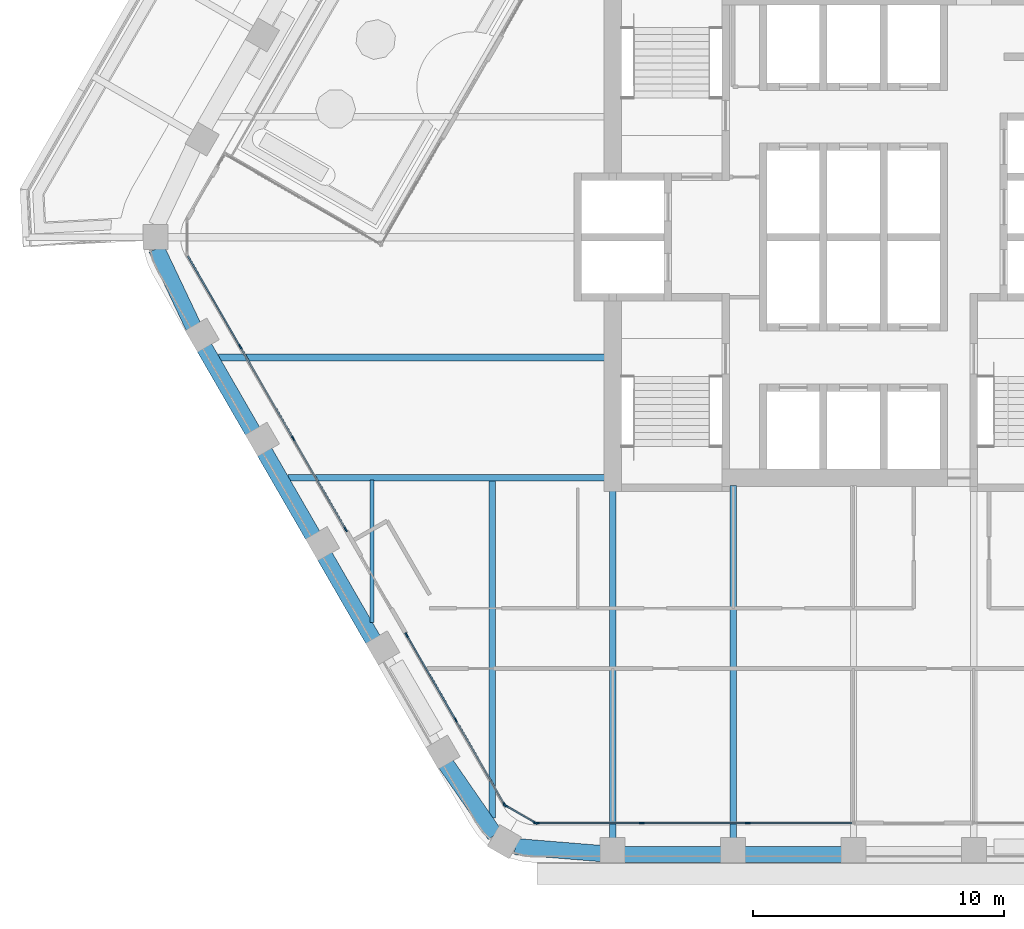
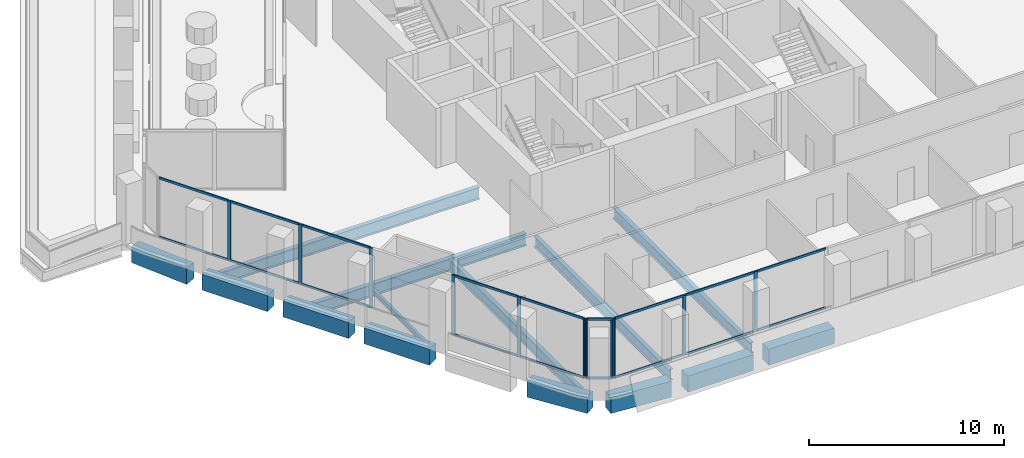
# One storey, part 2 of 18: 29 members, 14 beams, 4 elements without a shape of their own.
"""IFC4 building model written with IfcOpenShell, lengths in metres."""

import ifcopenshell
import ifcopenshell.guid

model = None  # the IFC model being written
_history = None  # IfcOwnerHistory: only IFC2X3 demands one
_inside = {}  # id of a spatial element -> (the spatial element, [elements in it])
_under = {}  # id of a project, library or spatial element -> (it, [spatial elements below it])
_declared = {}  # id of a project -> (the project, [libraries it declares])
_typed = {}  # id of a type object -> (the type object, [elements of that type])
_made_of = {}  # id of a material, layer set ... -> (it, [elements and type objects made of it])


def new_model(schema):
    """Start an empty IFC model of exactly this schema.

    Asked for "IFC4X3", IfcOpenShell would pick the latest addendum, in which some entities
    have other attributes; the version numbers below select the first issue.
    IFC2X3 requires an IfcOwnerHistory on every rooted entity: one is made here for all.
    """
    global model, _history
    if schema == "IFC4X3":
        model = ifcopenshell.file(schema_version=(4, 3, 0, 0))
    else:
        model = ifcopenshell.file(schema=schema)
    _inside.clear()
    _under.clear()
    _declared.clear()
    _typed.clear()
    _made_of.clear()
    _history = None
    if model.schema == "IFC2X3":
        org = make("IfcOrganization", Name="unknown")
        user = make(
            "IfcPersonAndOrganization",
            ThePerson=make("IfcPerson", FamilyName="unknown"),
            TheOrganization=org,
        )
        app = make(
            "IfcApplication",
            ApplicationDeveloper=org,
            Version="unknown",
            ApplicationFullName="unknown",
            ApplicationIdentifier="unknown",
        )
        _history = make(
            "IfcOwnerHistory",
            OwningUser=user,
            OwningApplication=app,
            ChangeAction="ADDED",
            CreationDate=0,
        )
    return model


def make(cls, **values):
    """One entity of the class cls with the attributes given. An attribute that is None is left unset."""
    return model.create_entity(
        cls, **{name: value for name, value in values.items() if value is not None}
    )


def rooted(cls, **values):
    """An entity with a GlobalId (a new one), such as an element, a storey or a relation."""
    return make(cls, GlobalId=ifcopenshell.guid.new(), OwnerHistory=_history, **values)


def si_unit(unit_type, name, prefix=None):
    """IfcSIUnit, for example si_unit("LENGTHUNIT", "METRE", prefix="MILLI")."""
    return make("IfcSIUnit", UnitType=unit_type, Prefix=prefix, Name=name)


def assignment(units):
    """IfcUnitAssignment: the units of a project."""
    return None if units is None else make("IfcUnitAssignment", Units=units)


def point(xyz):
    """IfcCartesianPoint."""
    return None if xyz is None else make("IfcCartesianPoint", Coordinates=xyz)


def direction(xyz):
    """IfcDirection."""
    return None if xyz is None else make("IfcDirection", DirectionRatios=xyz)


def frame(location, z_axis=None, x_axis=None):
    """IfcAxis2Placement3D, a coordinate frame: its origin and axes. An axis left out is left unset."""
    return make(
        "IfcAxis2Placement3D",
        Location=point(location),
        Axis=direction(z_axis),
        RefDirection=direction(x_axis),
    )


def frame_2d(location, x_axis=None):
    """IfcAxis2Placement2D, a coordinate frame in the plane: its origin and x axis."""
    return make(
        "IfcAxis2Placement2D", Location=point(location), RefDirection=direction(x_axis)
    )


def origin():
    """The frame at (0, 0, 0) with its axes left unset."""
    return frame((0.0, 0.0, 0.0))


def origin_2d():
    """The frame at (0, 0) in the plane with its x axis left unset."""
    return frame_2d((0.0, 0.0))


def place(relative_to, where):
    """IfcLocalPlacement: puts the frame where relative to a parent placement (None: the world)."""
    return make(
        "IfcLocalPlacement", PlacementRelTo=relative_to, RelativePlacement=where
    )


def context(
    kind, dimensions, precision=None, world=None, true_north=None, identifier=None
):
    """IfcGeometricRepresentationContext, for example the 3D "Model" context."""
    return make(
        "IfcGeometricRepresentationContext",
        ContextIdentifier=identifier,
        ContextType=kind,
        CoordinateSpaceDimension=dimensions,
        Precision=precision,
        WorldCoordinateSystem=world,
        TrueNorth=true_north,
    )


def subcontext(parent, identifier, kind, view, scale=None):
    """IfcGeometricRepresentationSubContext, for example "Body" below "Model"."""
    return make(
        "IfcGeometricRepresentationSubContext",
        ContextIdentifier=identifier,
        ContextType=kind,
        ParentContext=parent,
        TargetScale=scale,
        TargetView=view,
    )


def project(units=None, contexts=None):
    """IfcProject with its units and contexts."""
    return rooted(
        "IfcProject",
        Name="project",
        RepresentationContexts=contexts,
        UnitsInContext=assignment(units),
    )


def spatial(cls, under=None, at=None, **own):
    """A site, building, storey or space (cls), placed at a placement, below another one or the project."""
    s = rooted(cls, ObjectPlacement=at, **own)
    if under is not None:
        _under.setdefault(under.id(), (under, []))[1].append(s)
    return s


def profile(cls, at=None, kind="AREA", **sizes):
    """A parametric profile (cls). Its sizes go by their IFC names, for example OverallWidth=200.0."""
    return make(cls, ProfileType=kind, Position=at, **sizes)


def rectangle(**sizes):
    """IfcRectangleProfileDef."""
    return profile("IfcRectangleProfileDef", **sizes)


def i_section(**sizes):
    """IfcIShapeProfileDef."""
    return profile("IfcIShapeProfileDef", **sizes)


def extrude(swept, where, along, depth):
    """IfcExtrudedAreaSolid: the profile swept, set in the frame where, extruded along a direction by depth."""
    return make(
        "IfcExtrudedAreaSolid",
        SweptArea=swept,
        Position=where,
        ExtrudedDirection=direction(along),
        Depth=depth,
    )


def shape(context_of_items, identifier, shape_type, items):
    """IfcShapeRepresentation: the items that make up one representation, for example the "Body"."""
    return make(
        "IfcShapeRepresentation",
        ContextOfItems=context_of_items,
        RepresentationIdentifier=identifier,
        RepresentationType=shape_type,
        Items=items,
    )


def material(Name=None, Category=None):
    """IfcMaterial."""
    return make("IfcMaterial", Name=Name, Category=Category)


def material_profile(
    of_material, cross_section, Name=None, Category=None, Priority=None
):
    """IfcMaterialProfile: a cross section and its material."""
    return make(
        "IfcMaterialProfile",
        Name=Name,
        Material=of_material,
        Profile=cross_section,
        Priority=Priority,
        Category=Category,
    )


def profile_set(profiles, Name=None, composite=None):
    """IfcMaterialProfileSet."""
    return make(
        "IfcMaterialProfileSet",
        Name=Name,
        MaterialProfiles=profiles,
        CompositeProfile=composite,
    )


def made_of(thing, what):
    """Note that an element or type object is made of a material, layer set ...; save() writes the relation."""
    if what is not None:
        _made_of.setdefault(what.id(), (what, []))[1].append(thing)
    return thing


def type_object(cls, material=None, **own):
    """A type object (cls), such as IfcWallType, which elements share."""
    return made_of(rooted(cls, **own), material)


def element(
    cls,
    number,
    at=None,
    inside=None,
    cuts=None,
    type_object=None,
    material=None,
    context=None,
    identifier="Body",
    shape_type=None,
    held_by="IfcProductDefinitionShape",
    body=None,
    shapes=None,
    **own,
):
    """One element of the class cls, such as IfcWall. Its Tag is "e" and its number.

    at: its placement. inside: the storey or other place that contains it. cuts: it is an
    opening in that element (IfcRelVoidsElement). A single representation is given by context,
    identifier, shape_type and body (its items); several are given by shapes. held_by: the class
    of the entity that holds the representations. save() writes the other relations.
    """
    e = rooted(cls, Tag="e%d" % number, ObjectPlacement=at, **own)
    if body is not None:
        shapes = [shape(context, identifier, shape_type, body)]
    if shapes is not None:
        e.Representation = make(held_by, Representations=shapes)
    if inside is not None:
        _inside.setdefault(inside.id(), (inside, []))[1].append(e)
    if cuts is not None:
        rooted(
            "IfcRelVoidsElement", RelatingBuildingElement=cuts, RelatedOpeningElement=e
        )
    if type_object is not None:
        _typed.setdefault(type_object.id(), (type_object, []))[1].append(e)
    return made_of(e, material)


def aggregate(whole, parts):
    """IfcRelAggregates: a whole, such as a stair, and the parts it consists of."""
    return rooted("IfcRelAggregates", RelatingObject=whole, RelatedObjects=parts)


def save(model, path):
    """Write the relations noted so far, then the file.

    IfcRelAggregates (storeys below a building ...), IfcRelContainedInSpatialStructure (elements
    in a storey), IfcRelDefinesByType, IfcRelAssociatesMaterial and IfcRelDeclares: one each for
    every whole, place, type object, material and project.
    """
    for whole, parts in _under.values():
        aggregate(whole, parts)
    for where, things in _inside.values():
        rooted(
            "IfcRelContainedInSpatialStructure",
            RelatedElements=things,
            RelatingStructure=where,
        )
    for kind, things in _typed.values():
        rooted("IfcRelDefinesByType", RelatedObjects=things, RelatingType=kind)
    for what, things in _made_of.values():
        rooted("IfcRelAssociatesMaterial", RelatedObjects=things, RelatingMaterial=what)
    for by, libraries in _declared.values():
        rooted("IfcRelDeclares", RelatingContext=by, RelatedDefinitions=libraries)
    model.write(path)


model = new_model("IFC4")

# Units and contexts
model_context = context("Model", 3, precision=1e-05, world=origin(), true_north=direction((0.0, 1.0)))
body_context = subcontext(model_context, "Body", "Model", "MODEL_VIEW")
ifc_project = project(units=[si_unit("LENGTHUNIT", "METRE"), si_unit("AREAUNIT", "SQUARE_METRE"), si_unit("VOLUMEUNIT", "CUBIC_METRE"), si_unit("PLANEANGLEUNIT", "RADIAN"), si_unit("MASSUNIT", "GRAM", prefix="KILO")], contexts=[model_context])

# Site, building, storey
site_placement = place(None, origin())
site = spatial("IfcSite", under=ifc_project, at=site_placement, CompositionType="ELEMENT")
building_placement = place(site_placement, origin())
building = spatial("IfcBuilding", under=site, at=building_placement, Name="Kolab Exchange Tower", CompositionType="ELEMENT")
storey_placement = place(building_placement, frame((0.0, 0.0, 150.5)))
storey = spatial("IfcBuildingStorey", under=building, at=storey_placement, Name="L30", CompositionType="ELEMENT", Elevation=150.5)

# Beams
ifc_material_1 = material(Name="Steel S355", Category="steel")
ifc_material_profile_1 = material_profile(ifc_material_1, i_section(OverallWidth=0.1650390625, OverallDepth=0.31005859375, WebThickness=0.005859375, FlangeThickness=0.009765625, at=origin_2d()), Name="W310X39")
ifc_profile_set_1 = profile_set([ifc_material_profile_1], Name="Steel S355")
beam_type_1 = type_object("IfcBeamType", Name="FLOOR BEAM W310X39", PredefinedType="BEAM", material=ifc_profile_set_1)
beam_1_placement = place(storey_placement, frame((-19.199951171875, -15.36767578125, -0.304931640625), z_axis=(0.0, 1.0, 0.0), x_axis=(-1.0, 0.0, 0.0)))
element("IfcBeam", 1, at=beam_1_placement, inside=storey, type_object=beam_type_1, Name="beam/L30/fr/005", PredefinedType="BEAM", context=body_context, shape_type="SweptSolid", body=[
    extrude(i_section(OverallWidth=0.1650390625, OverallDepth=0.31005859375, WebThickness=0.005859375, FlangeThickness=0.009765625, at=origin_2d()), origin(), (0.0, 0.0, 1.0), 5.674072265625),
])
ifc_material_profile_2 = material_profile(ifc_material_1, i_section(OverallWidth=0.25390625, OverallDepth=0.68408203125, WebThickness=0.012451171875, FlangeThickness=0.018798828125, at=origin_2d()), Name="W690X140")
ifc_profile_set_2 = profile_set([ifc_material_profile_2], Name="Steel S355")
beam_type_2 = type_object("IfcBeamType", Name="FLOOR BEAM W690X140", PredefinedType="BEAM", material=ifc_profile_set_2)
beam_2_placement = place(storey_placement, frame((-14.39990234375, -23.15576171875, -0.491943359375), z_axis=(0.0, 1.0, 0.0), x_axis=(-1.0, 0.0, 0.0)))
element("IfcBeam", 2, at=beam_2_placement, inside=storey, type_object=beam_type_2, Name="beam/L30/fr/009", PredefinedType="BEAM", context=body_context, shape_type="SweptSolid", body=[
    extrude(i_section(OverallWidth=0.25390625, OverallDepth=0.68408203125, WebThickness=0.012451171875, FlangeThickness=0.018798828125, at=origin_2d()), origin(), (0.0, 0.0, 1.0), 13.462158203125),
])
beam_3_placement = place(storey_placement, frame((-9.60009765625, -23.9814453125, -0.491943359375), z_axis=(0.0, 1.0, 0.0), x_axis=(-1.0, 0.0, 0.0)))
element("IfcBeam", 3, at=beam_3_placement, inside=storey, type_object=beam_type_2, Name="beam/L30/fr/012", PredefinedType="BEAM", context=body_context, shape_type="SweptSolid", body=[
    extrude(i_section(OverallWidth=0.25390625, OverallDepth=0.68408203125, WebThickness=0.012451171875, FlangeThickness=0.018798828125, at=origin_2d()), origin(), (0.0, 0.0, 1.0), 13.871337890625),
])
beam_4_placement = place(storey_placement, frame((-4.800048828125, -23.9814453125, -0.491943359375), z_axis=(0.0, 1.0, 0.0), x_axis=(-1.0, 0.0, 0.0)))
element("IfcBeam", 4, at=beam_4_placement, inside=storey, type_object=beam_type_2, Name="beam/L30/fr/014", PredefinedType="BEAM", context=body_context, shape_type="SweptSolid", body=[
    extrude(i_section(OverallWidth=0.25390625, OverallDepth=0.68408203125, WebThickness=0.012451171875, FlangeThickness=0.018798828125, at=origin_2d()), origin(), (0.0, 0.0, 1.0), 14.071533203125),
])
ifc_material_profile_3 = material_profile(ifc_material_1, i_section(OverallWidth=0.26708984375, OverallDepth=0.761962890625, WebThickness=0.014404296875, FlangeThickness=0.021484375, at=origin_2d()), Name="W760X173")
ifc_profile_set_3 = profile_set([ifc_material_profile_3], Name="Steel S355")
beam_type_3 = type_object("IfcBeamType", Name="FLOOR BEAM W760X173", PredefinedType="BEAM", material=ifc_profile_set_3)
beam_5_placement = place(storey_placement, frame((-25.318115234375, -4.800048828125, -0.531005859375), z_axis=(1.0, 0.0, 0.0), x_axis=(0.0, 1.0, 0.0)))
element("IfcBeam", 5, at=beam_5_placement, inside=storey, type_object=beam_type_3, Name="beam/L30/fr/001", PredefinedType="BEAM", context=body_context, shape_type="SweptSolid", body=[
    extrude(i_section(OverallWidth=0.26708984375, OverallDepth=0.761962890625, WebThickness=0.014404296875, FlangeThickness=0.021484375, at=origin_2d()), origin(), (0.0, 0.0, 1.0), 15.408203125),
])
ifc_material_profile_4 = material_profile(ifc_material_1, i_section(OverallWidth=0.26708984375, OverallDepth=0.761962890625, WebThickness=0.014404296875, FlangeThickness=0.021484375, at=origin_2d()), Name="W760X173")
ifc_profile_set_4 = profile_set([ifc_material_profile_4], Name="Steel S355")
beam_type_4 = type_object("IfcBeamType", Name="FLOOR GIRDER W760X173", PredefinedType="BEAM", material=ifc_profile_set_4)
beam_6_placement = place(storey_placement, frame((-22.546875, -9.60009765625, -0.531005859375), z_axis=(1.0, 0.0, 0.0), x_axis=(0.0, 1.0, 0.0)))
element("IfcBeam", 6, at=beam_6_placement, inside=storey, type_object=beam_type_4, Name="beam/L30/gd/000", PredefinedType="BEAM", context=body_context, shape_type="SweptSolid", body=[
    extrude(i_section(OverallWidth=0.26708984375, OverallDepth=0.761962890625, WebThickness=0.014404296875, FlangeThickness=0.021484375, at=origin_2d()), origin(), (0.0, 0.0, 1.0), 12.636962890625),
])
ifc_material_2 = material(Name="Concrete C60/75", Category="concrete")
ifc_material_profile_5 = material_profile(ifc_material_2, rectangle(XDim=0.64990234375, YDim=1.0, at=origin_2d()), Name="RC650X1000")
ifc_profile_set_5 = profile_set([ifc_material_profile_5], Name="Concrete C60/75")
beam_type_5 = type_object("IfcBeamType", Name="SPANDREL BEAM 650X1000 C60/75", PredefinedType="BEAM", material=ifc_profile_set_5)
beam_7_placement = place(storey_placement, frame((-0.4599609375, -24.616455078125, -0.64990234375), z_axis=(-1.0, 0.0, 0.0), x_axis=(0.0, -1.0, 0.0)))
element("IfcBeam", 7, at=beam_7_placement, inside=storey, type_object=beam_type_5, Name="beam/L30/sp/F4-04", PredefinedType="BEAM", context=body_context, shape_type="SweptSolid", body=[
    extrude(rectangle(XDim=0.64990234375, YDim=1.0, at=origin_2d()), origin(), (0.0, 0.0, 1.0), 3.880126953125),
])
beam_8_placement = place(storey_placement, frame((-5.260009765625, -24.616455078125, -0.64990234375), z_axis=(-1.0, 0.0, 0.0), x_axis=(0.0, -1.0, 0.0)))
element("IfcBeam", 8, at=beam_8_placement, inside=storey, type_object=beam_type_5, Name="beam/L30/sp/F4-05", PredefinedType="BEAM", context=body_context, shape_type="SweptSolid", body=[
    extrude(rectangle(XDim=0.64990234375, YDim=1.0, at=origin_2d()), origin(), (0.0, 0.0, 1.0), 3.8798828125),
])
for number, where, z_axis, x_axis, name in (
    (9, (-10.06005859375, -24.5791015625, -0.64990234375), (-0.996708497182, 0.081068931445, 0.0), (-0.081068931445, -0.996708497182, 0.0), "beam/L30/sp/F4-06"),
    (10, (-14.29736328125, -23.8359375, -0.64990234375), (-0.568572281073, 0.822633309073, 0.0), (-0.822633309073, -0.568572281073, 0.0), "beam/L30/sp/F5-01"),
):
    element("IfcBeam", number, at=place(storey_placement, frame(where, z_axis=z_axis, x_axis=x_axis)), inside=storey, type_object=beam_type_5, Name=name, PredefinedType="BEAM", context=body_context, shape_type="SweptSolid", body=[
        extrude(rectangle(XDim=0.64990234375, YDim=1.0, at=origin_2d()), origin(), (0.0, 0.0, 1.0), 3.445068359375),
    ])
beam_9_placement = place(storey_placement, frame((-19.1484375, -16.06689453125, -0.64990234375), z_axis=(-0.50001655835, 0.866015843605, 0.0), x_axis=(-0.866015843605, -0.50001655835, 0.0)))
element("IfcBeam", 11, at=beam_9_placement, inside=storey, type_object=beam_type_5, Name="beam/L30/sp/F5-03", PredefinedType="BEAM", context=body_context, shape_type="SweptSolid", body=[
    extrude(rectangle(XDim=0.64990234375, YDim=1.0, at=origin_2d()), origin(), (0.0, 0.0, 1.0), 3.880126953125),
])
for number, where, z_axis, x_axis, name in (
    (12, (-21.548583984375, -11.909912109375, -0.64990234375), (-0.499996613652, 0.866027358884, 0.0), (-0.866027358884, -0.499996613652, 0.0), "beam/L30/sp/F5-04"),
    (13, (-23.948486328125, -7.7529296875, -0.64990234375), (-0.499996613652, 0.866027358884, 0.0), (-0.866027358884, -0.499996613652, 0.0), "beam/L30/sp/F5-05"),
):
    element("IfcBeam", number, at=place(storey_placement, frame(where, z_axis=z_axis, x_axis=x_axis)), inside=storey, type_object=beam_type_5, Name=name, PredefinedType="BEAM", context=body_context, shape_type="SweptSolid", body=[
        extrude(rectangle(XDim=0.64990234375, YDim=1.0, at=origin_2d()), origin(), (0.0, 0.0, 1.0), 3.8798828125),
    ])
beam_10_placement = place(storey_placement, frame((-26.316162109375, -3.5771484375, -0.64990234375), z_axis=(-0.428177731975, 0.903694544545, 0.0), x_axis=(-0.903694544545, -0.428177731975, 0.0)))
element("IfcBeam", 14, at=beam_10_placement, inside=storey, type_object=beam_type_5, Name="beam/L30/sp/F5-06", PredefinedType="BEAM", context=body_context, shape_type="SweptSolid", body=[
    extrude(rectangle(XDim=0.64990234375, YDim=1.0, at=origin_2d()), origin(), (0.0, 0.0, 1.0), 3.445068359375),
])

# Curtain wall, members
ifc_material_3 = material(Name="Aluminium EN AW-6063 T6", Category="aluminium")
curtain_wall_type = type_object("IfcCurtainWallType", Name="UNITISED UPPER MID ZONE CURTAIN WALL", PredefinedType="NOTDEFINED", material=ifc_material_3)
curtain_wall_1_placement = place(storey_placement, origin())
curtain_wall_1 = element("IfcCurtainWall", 15, at=curtain_wall_1_placement, inside=storey, type_object=curtain_wall_type, Name="cw/L30/F4-2", PredefinedType="NOTDEFINED")
ifc_material_profile_6 = material_profile(ifc_material_3, rectangle(XDim=0.06005859375, YDim=0.199951171875, at=origin_2d()), Name="RECT 60X200")
ifc_profile_set_6 = profile_set([ifc_material_profile_6], Name="Aluminium EN AW-6063 T6")
member_type_1 = type_object("IfcMemberType", Name="UNITISED UPPER MID ZONE MULLION 60 X 200", PredefinedType="MULLION", material=ifc_profile_set_6)
member_1_placement = place(storey_placement, frame((-4.22265625, -23.361572265625, 0.0), z_axis=(0.0, 0.0, 1.0), x_axis=(0.0, -1.0, 0.0)))
member_1 = element("IfcMember", 16, at=member_1_placement, type_object=member_type_1, Name="CW3 mullion 2", PredefinedType="MULLION", context=body_context, shape_type="SweptSolid", body=[
    extrude(rectangle(XDim=0.06005859375, YDim=0.199951171875, at=origin_2d()), origin(), (0.0, 0.0, 1.0), 3.75),
])
member_2_placement = place(storey_placement, frame((-8.4453125, -23.361572265625, 0.0), z_axis=(0.0, 0.0, 1.0), x_axis=(0.0, -1.0, 0.0)))
member_2 = element("IfcMember", 17, at=member_2_placement, type_object=member_type_1, Name="CW3 mullion 3", PredefinedType="MULLION", context=body_context, shape_type="SweptSolid", body=[
    extrude(rectangle(XDim=0.06005859375, YDim=0.199951171875, at=origin_2d()), origin(), (0.0, 0.0, 1.0), 3.75),
])
member_3_placement = place(storey_placement, frame((-12.637939453125, -23.361572265625, 0.0), z_axis=(0.0, 0.0, 1.0), x_axis=(0.0, -1.0, 0.0)))
member_3 = element("IfcMember", 18, at=member_3_placement, type_object=member_type_1, Name="CW3 mullion 4", PredefinedType="MULLION", context=body_context, shape_type="SweptSolid", body=[
    extrude(rectangle(XDim=0.06005859375, YDim=0.199951171875, at=origin_2d()), origin(), (0.0, 0.0, 1.0), 3.75),
])

curtain_wall_2_placement = place(storey_placement, origin())
curtain_wall_2 = element("IfcCurtainWall", 19, at=curtain_wall_2_placement, inside=storey, type_object=curtain_wall_type, Name="cw/L30/F5-1", PredefinedType="NOTDEFINED")
member_4_placement = place(storey_placement, frame((-13.91259765625, -22.62548828125, 0.0), z_axis=(0.0, 0.0, 1.0), x_axis=(-0.866025385493, -0.500000031681, 0.0)))
member_4 = element("IfcMember", 20, at=member_4_placement, type_object=member_type_1, Name="CW3 mullion 1", PredefinedType="MULLION", context=body_context, shape_type="SweptSolid", body=[
    extrude(rectangle(XDim=0.06005859375, YDim=0.199951171875, at=origin_2d()), origin(), (0.0, 0.0, 1.0), 3.75),
])
member_5_placement = place(storey_placement, frame((-15.86474609375, -19.24462890625, 0.0), z_axis=(0.0, 0.0, 1.0), x_axis=(-0.866025385493, -0.500000031681, 0.0)))
member_5 = element("IfcMember", 21, at=member_5_placement, type_object=member_type_1, Name="CW3 mullion 2", PredefinedType="MULLION", context=body_context, shape_type="SweptSolid", body=[
    extrude(rectangle(XDim=0.06005859375, YDim=0.199951171875, at=origin_2d()), origin(), (0.0, 0.0, 1.0), 3.75),
])
member_6_placement = place(storey_placement, frame((-17.816650390625, -15.86376953125, 0.0), z_axis=(0.0, 0.0, 1.0), x_axis=(-0.866025385493, -0.500000031681, 0.0)))
member_6 = element("IfcMember", 22, at=member_6_placement, type_object=member_type_1, Name="CW3 mullion 3", PredefinedType="MULLION", context=body_context, shape_type="SweptSolid", body=[
    extrude(rectangle(XDim=0.06005859375, YDim=0.199951171875, at=origin_2d()), origin(), (0.0, 0.0, 1.0), 3.75),
])

curtain_wall_3_placement = place(storey_placement, origin())
curtain_wall_3 = element("IfcCurtainWall", 23, at=curtain_wall_3_placement, inside=storey, type_object=curtain_wall_type, Name="cw/L30/F5-2", PredefinedType="NOTDEFINED")
member_7_placement = place(storey_placement, frame((-20.24658203125, -11.65478515625, 0.0), z_axis=(0.0, 0.0, 1.0), x_axis=(-0.866025427826, -0.499999958358, 0.0)))
member_7 = element("IfcMember", 24, at=member_7_placement, type_object=member_type_1, Name="CW3 mullion 1", PredefinedType="MULLION", context=body_context, shape_type="SweptSolid", body=[
    extrude(rectangle(XDim=0.06005859375, YDim=0.199951171875, at=origin_2d()), origin(), (0.0, 0.0, 1.0), 3.75),
])
member_8_placement = place(storey_placement, frame((-22.343017578125, -8.02392578125, 0.0), z_axis=(0.0, 0.0, 1.0), x_axis=(-0.866025427826, -0.499999958358, 0.0)))
member_8 = element("IfcMember", 25, at=member_8_placement, type_object=member_type_1, Name="CW3 mullion 2", PredefinedType="MULLION", context=body_context, shape_type="SweptSolid", body=[
    extrude(rectangle(XDim=0.06005859375, YDim=0.199951171875, at=origin_2d()), origin(), (0.0, 0.0, 1.0), 3.75),
])
member_9_placement = place(storey_placement, frame((-24.454345703125, -4.366943359375, 0.0), z_axis=(0.0, 0.0, 1.0), x_axis=(-0.866025427826, -0.499999958358, 0.0)))
member_9 = element("IfcMember", 26, at=member_9_placement, type_object=member_type_1, Name="CW3 mullion 3", PredefinedType="MULLION", context=body_context, shape_type="SweptSolid", body=[
    extrude(rectangle(XDim=0.06005859375, YDim=0.199951171875, at=origin_2d()), origin(), (0.0, 0.0, 1.0), 3.75),
])

curtain_wall_4_placement = place(storey_placement, origin())
curtain_wall_4 = element("IfcCurtainWall", 27, at=curtain_wall_4_placement, inside=storey, type_object=curtain_wall_type, Name="cw/L30/F4F5-corner", PredefinedType="NOTDEFINED")
member_10_placement = place(storey_placement, frame((-12.69384765625, -23.346435546875, 0.0), z_axis=(0.0, 0.0, 1.0), x_axis=(-0.50000002237, -0.866025390869, 0.0)))
member_10 = element("IfcMember", 28, at=member_10_placement, type_object=member_type_1, Name="CW3 mullion 1", PredefinedType="MULLION", context=body_context, shape_type="SweptSolid", body=[
    extrude(rectangle(XDim=0.06005859375, YDim=0.199951171875, at=origin_2d()), origin(), (0.0, 0.0, 1.0), 3.75),
])
member_11_placement = place(storey_placement, frame((-13.871826171875, -22.66650390625, 0.0), z_axis=(0.0, 0.0, 1.0), x_axis=(-0.50000002237, -0.866025390869, 0.0)))
member_11 = element("IfcMember", 29, at=member_11_placement, type_object=member_type_1, Name="CW3 mullion 2", PredefinedType="MULLION", context=body_context, shape_type="SweptSolid", body=[
    extrude(rectangle(XDim=0.06005859375, YDim=0.199951171875, at=origin_2d()), origin(), (0.0, 0.0, 1.0), 3.75),
])

# Member
ifc_material_profile_7 = material_profile(ifc_material_3, rectangle(XDim=0.06005859375, YDim=0.139892578125, at=origin_2d()), Name="RECT 60X140")
ifc_profile_set_7 = profile_set([ifc_material_profile_7], Name="Aluminium EN AW-6063 T6")
member_type_2 = type_object("IfcMemberType", Name="UNITISED UPPER MID ZONE TRANSOM 60 X 140", PredefinedType="USERDEFINED", material=ifc_profile_set_7)
member_12_placement = place(storey_placement, frame((-0.06005859375, -23.361572265625, 0.030029296875), z_axis=(-1.0, 0.0, 0.0), x_axis=(0.0, -1.0, 0.0)))
member_12 = element("IfcMember", 30, at=member_12_placement, type_object=member_type_2, Name="CW3 transom 1.1", ObjectType="TRANSOM", PredefinedType="USERDEFINED", context=body_context, shape_type="SweptSolid", body=[
    extrude(rectangle(XDim=0.06005859375, YDim=0.139892578125, at=origin_2d()), origin(), (0.0, 0.0, 1.0), 4.132568359375),
])

member_13_placement = place(storey_placement, frame((-0.06005859375, -23.361572265625, 3.719970703125), z_axis=(-1.0, 0.0, 0.0), x_axis=(0.0, -1.0, 0.0)))
member_13 = element("IfcMember", 31, at=member_13_placement, type_object=member_type_2, Name="CW3 transom 1.2", ObjectType="TRANSOM", PredefinedType="USERDEFINED", context=body_context, shape_type="SweptSolid", body=[
    extrude(rectangle(XDim=0.06005859375, YDim=0.139892578125, at=origin_2d()), origin(), (0.0, 0.0, 1.0), 4.132568359375),
])

member_14_placement = place(storey_placement, frame((-4.252685546875, -23.361572265625, 0.030029296875), z_axis=(-1.0, 0.0, 0.0), x_axis=(0.0, -1.0, 0.0)))
member_14 = element("IfcMember", 32, at=member_14_placement, type_object=member_type_2, Name="CW3 transom 2.1", ObjectType="TRANSOM", PredefinedType="USERDEFINED", context=body_context, shape_type="SweptSolid", body=[
    extrude(rectangle(XDim=0.06005859375, YDim=0.139892578125, at=origin_2d()), origin(), (0.0, 0.0, 1.0), 4.16259765625),
])

member_15_placement = place(storey_placement, frame((-4.252685546875, -23.361572265625, 3.719970703125), z_axis=(-1.0, 0.0, 0.0), x_axis=(0.0, -1.0, 0.0)))
member_15 = element("IfcMember", 33, at=member_15_placement, type_object=member_type_2, Name="CW3 transom 2.2", ObjectType="TRANSOM", PredefinedType="USERDEFINED", context=body_context, shape_type="SweptSolid", body=[
    extrude(rectangle(XDim=0.06005859375, YDim=0.139892578125, at=origin_2d()), origin(), (0.0, 0.0, 1.0), 4.16259765625),
])

member_16_placement = place(storey_placement, frame((-8.475341796875, -23.361572265625, 0.030029296875), z_axis=(-1.0, 0.0, 0.0), x_axis=(0.0, -1.0, 0.0)))
member_16 = element("IfcMember", 34, at=member_16_placement, type_object=member_type_2, Name="CW3 transom 3.1", ObjectType="TRANSOM", PredefinedType="USERDEFINED", context=body_context, shape_type="SweptSolid", body=[
    extrude(rectangle(XDim=0.06005859375, YDim=0.139892578125, at=origin_2d()), origin(), (0.0, 0.0, 1.0), 4.132568359375),
])

member_17_placement = place(storey_placement, frame((-8.475341796875, -23.361572265625, 3.719970703125), z_axis=(-1.0, 0.0, 0.0), x_axis=(0.0, -1.0, 0.0)))
member_17 = element("IfcMember", 35, at=member_17_placement, type_object=member_type_2, Name="CW3 transom 3.2", ObjectType="TRANSOM", PredefinedType="USERDEFINED", context=body_context, shape_type="SweptSolid", body=[
    extrude(rectangle(XDim=0.06005859375, YDim=0.139892578125, at=origin_2d()), origin(), (0.0, 0.0, 1.0), 4.132568359375),
])

aggregate(curtain_wall_1, [member_1, member_2, member_3, member_12, member_13, member_14, member_15, member_16, member_17])

member_18_placement = place(storey_placement, frame((-13.927734375, -22.599609375, 0.030029296875), z_axis=(-0.499964356602, 0.866045981532, 0.0), x_axis=(-0.866045981532, -0.499964356602, 0.0)))
member_18 = element("IfcMember", 36, at=member_18_placement, type_object=member_type_2, Name="CW3 transom 1.1", ObjectType="TRANSOM", PredefinedType="USERDEFINED", context=body_context, shape_type="SweptSolid", body=[
    extrude(rectangle(XDim=0.06005859375, YDim=0.139892578125, at=origin_2d()), origin(), (0.0, 0.0, 1.0), 3.843994140625),
])

member_19_placement = place(storey_placement, frame((-13.927734375, -22.599609375, 3.719970703125), z_axis=(-0.499964356602, 0.866045981532, 0.0), x_axis=(-0.866045981532, -0.499964356602, 0.0)))
member_19 = element("IfcMember", 37, at=member_19_placement, type_object=member_type_2, Name="CW3 transom 1.2", ObjectType="TRANSOM", PredefinedType="USERDEFINED", context=body_context, shape_type="SweptSolid", body=[
    extrude(rectangle(XDim=0.06005859375, YDim=0.139892578125, at=origin_2d()), origin(), (0.0, 0.0, 1.0), 3.843994140625),
])

member_20_placement = place(storey_placement, frame((-15.879638671875, -19.21875, 0.030029296875), z_axis=(-0.500011990396, 0.866018481016, 0.0), x_axis=(-0.866018481016, -0.500011990396, 0.0)))
member_20 = element("IfcMember", 38, at=member_20_placement, type_object=member_type_2, Name="CW3 transom 2.1", ObjectType="TRANSOM", PredefinedType="USERDEFINED", context=body_context, shape_type="SweptSolid", body=[
    extrude(rectangle(XDim=0.06005859375, YDim=0.139892578125, at=origin_2d()), origin(), (0.0, 0.0, 1.0), 3.84423828125),
])

member_21_placement = place(storey_placement, frame((-15.879638671875, -19.21875, 3.719970703125), z_axis=(-0.500011990396, 0.866018481016, 0.0), x_axis=(-0.866018481016, -0.500011990396, 0.0)))
member_21 = element("IfcMember", 39, at=member_21_placement, type_object=member_type_2, Name="CW3 transom 2.2", ObjectType="TRANSOM", PredefinedType="USERDEFINED", context=body_context, shape_type="SweptSolid", body=[
    extrude(rectangle(XDim=0.06005859375, YDim=0.139892578125, at=origin_2d()), origin(), (0.0, 0.0, 1.0), 3.84423828125),
])

aggregate(curtain_wall_2, [member_4, member_5, member_6, member_18, member_19, member_20, member_21])

member_22_placement = place(storey_placement, frame((-20.26171875, -11.62890625, 0.030029296875), z_axis=(-0.500001996123, 0.866024251319, 0.0), x_axis=(-0.866024251319, -0.500001996123, 0.0)))
member_22 = element("IfcMember", 40, at=member_22_placement, type_object=member_type_2, Name="CW3 transom 1.1", ObjectType="TRANSOM", PredefinedType="USERDEFINED", context=body_context, shape_type="SweptSolid", body=[
    extrude(rectangle(XDim=0.06005859375, YDim=0.139892578125, at=origin_2d()), origin(), (0.0, 0.0, 1.0), 4.1328125),
])

member_23_placement = place(storey_placement, frame((-20.26171875, -11.62890625, 3.719970703125), z_axis=(-0.500001996123, 0.866024251319, 0.0), x_axis=(-0.866024251319, -0.500001996123, 0.0)))
member_23 = element("IfcMember", 41, at=member_23_placement, type_object=member_type_2, Name="CW3 transom 1.2", ObjectType="TRANSOM", PredefinedType="USERDEFINED", context=body_context, shape_type="SweptSolid", body=[
    extrude(rectangle(XDim=0.06005859375, YDim=0.139892578125, at=origin_2d()), origin(), (0.0, 0.0, 1.0), 4.1328125),
])

member_24_placement = place(storey_placement, frame((-22.35791015625, -7.997802734375, 0.030029296875), z_axis=(-0.49999322259, 0.866029316688, 0.0), x_axis=(-0.866029316688, -0.49999322259, 0.0)))
member_24 = element("IfcMember", 42, at=member_24_placement, type_object=member_type_2, Name="CW3 transom 2.1", ObjectType="TRANSOM", PredefinedType="USERDEFINED", context=body_context, shape_type="SweptSolid", body=[
    extrude(rectangle(XDim=0.06005859375, YDim=0.139892578125, at=origin_2d()), origin(), (0.0, 0.0, 1.0), 4.16259765625),
])

member_25_placement = place(storey_placement, frame((-22.35791015625, -7.997802734375, 3.719970703125), z_axis=(-0.49999322259, 0.866029316688, 0.0), x_axis=(-0.866029316688, -0.49999322259, 0.0)))
member_25 = element("IfcMember", 43, at=member_25_placement, type_object=member_type_2, Name="CW3 transom 2.2", ObjectType="TRANSOM", PredefinedType="USERDEFINED", context=body_context, shape_type="SweptSolid", body=[
    extrude(rectangle(XDim=0.06005859375, YDim=0.139892578125, at=origin_2d()), origin(), (0.0, 0.0, 1.0), 4.16259765625),
])

member_26_placement = place(storey_placement, frame((-24.46923828125, -4.3408203125, 0.030029296875), z_axis=(-0.500027577057, 0.866009481578, 0.0), x_axis=(-0.866009481578, -0.500027577057, 0.0)))
member_26 = element("IfcMember", 44, at=member_26_placement, type_object=member_type_2, Name="CW3 transom 3.1", ObjectType="TRANSOM", PredefinedType="USERDEFINED", context=body_context, shape_type="SweptSolid", body=[
    extrude(rectangle(XDim=0.06005859375, YDim=0.139892578125, at=origin_2d()), origin(), (0.0, 0.0, 1.0), 4.132568359375),
])

member_27_placement = place(storey_placement, frame((-24.46923828125, -4.3408203125, 3.719970703125), z_axis=(-0.500027577057, 0.866009481578, 0.0), x_axis=(-0.866009481578, -0.500027577057, 0.0)))
member_27 = element("IfcMember", 45, at=member_27_placement, type_object=member_type_2, Name="CW3 transom 3.2", ObjectType="TRANSOM", PredefinedType="USERDEFINED", context=body_context, shape_type="SweptSolid", body=[
    extrude(rectangle(XDim=0.06005859375, YDim=0.139892578125, at=origin_2d()), origin(), (0.0, 0.0, 1.0), 4.132568359375),
])

aggregate(curtain_wall_3, [member_7, member_8, member_9, member_22, member_23, member_24, member_25, member_26, member_27])

member_28_placement = place(storey_placement, frame((-12.719970703125, -23.33154296875, 0.030029296875), z_axis=(-0.86603858612, 0.49997716683, 0.0), x_axis=(-0.49997716683, -0.86603858612, 0.0)))
member_28 = element("IfcMember", 46, at=member_28_placement, type_object=member_type_2, Name="CW3 transom 1.1", ObjectType="TRANSOM", PredefinedType="USERDEFINED", context=body_context, shape_type="SweptSolid", body=[
    extrude(rectangle(XDim=0.06005859375, YDim=0.139892578125, at=origin_2d()), origin(), (0.0, 0.0, 1.0), 1.2998046875),
])

member_29_placement = place(storey_placement, frame((-12.719970703125, -23.33154296875, 3.719970703125), z_axis=(-0.86603858612, 0.49997716683, 0.0), x_axis=(-0.49997716683, -0.86603858612, 0.0)))
member_29 = element("IfcMember", 47, at=member_29_placement, type_object=member_type_2, Name="CW3 transom 1.2", ObjectType="TRANSOM", PredefinedType="USERDEFINED", context=body_context, shape_type="SweptSolid", body=[
    extrude(rectangle(XDim=0.06005859375, YDim=0.139892578125, at=origin_2d()), origin(), (0.0, 0.0, 1.0), 1.2998046875),
])

aggregate(curtain_wall_4, [member_10, member_11, member_28, member_29])

save(model, "model.ifc")
